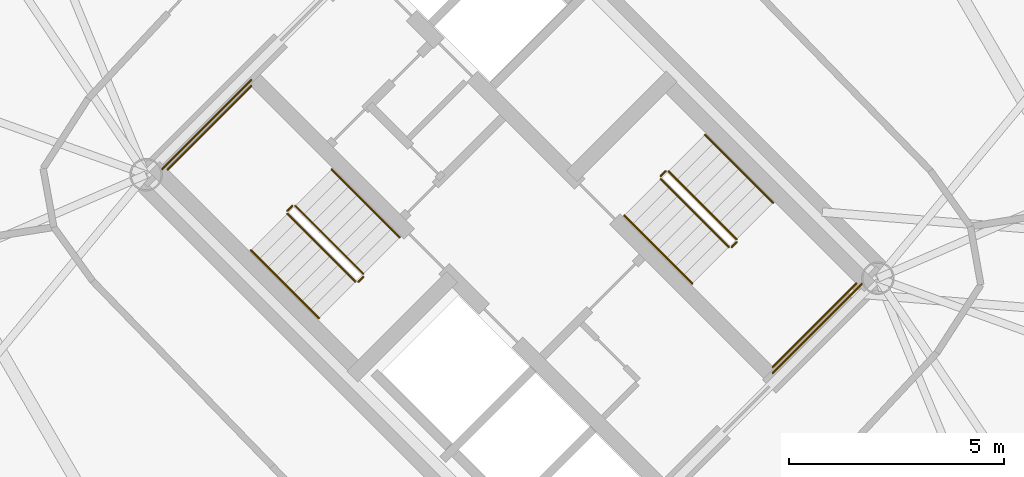
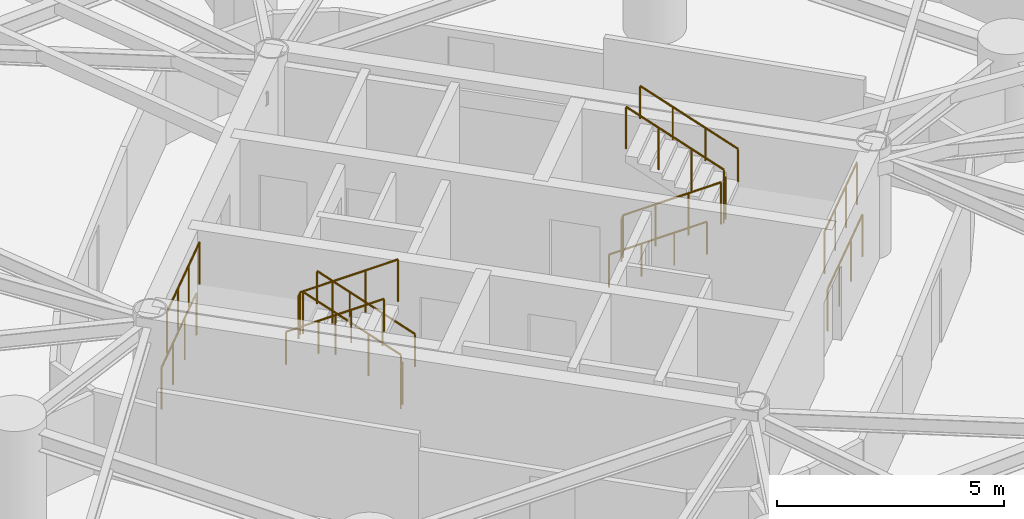
# One storey, part 17 of 18: 16 railings.
"""IFC4 building model written with IfcOpenShell, lengths in metres."""

from ifc_helpers import new_model, si_unit, direction, frame, origin, origin_2d, place, context, subcontext, project, spatial, circle, extrude, material, type_object, element, save


model = new_model("IFC4")

# Units and contexts
model_context = context("Model", 3, precision=1e-05, world=origin(), true_north=direction((0.0, 1.0)))
body_context = subcontext(model_context, "Body", "Model", "MODEL_VIEW")
ifc_project = project(units=[si_unit("LENGTHUNIT", "METRE"), si_unit("AREAUNIT", "SQUARE_METRE"), si_unit("VOLUMEUNIT", "CUBIC_METRE"), si_unit("PLANEANGLEUNIT", "RADIAN"), si_unit("MASSUNIT", "GRAM", prefix="KILO")], contexts=[model_context])

# Site, building, storey
site_placement = place(None, origin())
site = spatial("IfcSite", under=ifc_project, at=site_placement, CompositionType="ELEMENT")
building_placement = place(site_placement, origin())
building = spatial("IfcBuilding", under=site, at=building_placement, Name="Cununo Teusaquillo Station Towers", CompositionType="ELEMENT")
storey_placement = place(building_placement, frame((0.0, 0.0, 75.969970703125)))
storey = spatial("IfcBuildingStorey", under=building, at=storey_placement, Name="L23", CompositionType="ELEMENT", Elevation=75.969970703125)

# Railings
ifc_material_1 = material(Name="Steel EN 10025-2 S355J2", Category="steel")
railing_type_1 = type_object("IfcRailingType", Name="RL-INT-GUARD", PredefinedType="GUARDRAIL", material=ifc_material_1)
railing_1_placement = place(storey_placement, frame((54.03515625, 23.39697265625, 0.16162109375)))
element("IfcRailing", 1, at=railing_1_placement, inside=storey, type_object=railing_type_1, Name="L23 ST-T2-1 stair guard 1", PredefinedType="GUARDRAIL", context=body_context, shape_type="SweptSolid", body=[
    extrude(circle(Radius=0.02392578125, at=origin_2d()), frame((0.0, 0.0, 1.1259765625), z_axis=(-0.612332353853, 0.612332353853, 0.500098167213), x_axis=(-0.707106781187, -0.707106781187, 0.0)), (0.0, 0.0, 1.0), 2.58642578125),
    extrude(circle(Radius=0.02099609375, at=origin_2d()), origin(), (0.0, 0.0, 1.0), 1.101806640625),
    extrude(circle(Radius=0.02099609375, at=origin_2d()), frame((-0.52783203125, 0.52783203125, 0.43115234375)), (0.0, 0.0, 1.0), 1.101806640625),
    extrude(circle(Radius=0.02099609375, at=origin_2d()), frame((-1.055908203125, 1.055908203125, 0.8623046875)), (0.0, 0.0, 1.0), 1.101806640625),
    extrude(circle(Radius=0.02099609375, at=origin_2d()), frame((-1.583740234375, 1.583740234375, 1.29345703125)), (0.0, 0.0, 1.0), 1.101806640625),
])
railing_2_placement = place(storey_placement, frame((52.380615234375, 24.980712890625, 1.455078125)))
element("IfcRailing", 2, at=railing_2_placement, inside=storey, type_object=railing_type_1, Name="L23 ST-T2-1 stair guard 2", PredefinedType="GUARDRAIL", context=body_context, shape_type="SweptSolid", body=[
    extrude(circle(Radius=0.02392578125, at=origin_2d()), frame((0.0, 0.0, 1.1259765625), z_axis=(-0.7078691598, -0.706343579714, 0.0), x_axis=(0.706343579714, -0.7078691598, 0.0)), (0.0, 0.0, 1.0), 0.159912109375),
    extrude(circle(Radius=0.02099609375, at=origin_2d()), origin(), (0.0, 0.0, 1.0), 1.101806640625),
    extrude(circle(Radius=0.02099609375, at=origin_2d()), frame((-0.11328125, -0.113037109375, 0.0)), (0.0, 0.0, 1.0), 1.101806640625),
])
railing_3_placement = place(storey_placement, frame((51.426025390625, 27.77392578125, 1.455078125)))
element("IfcRailing", 3, at=railing_3_placement, inside=storey, type_object=railing_type_1, Name="L23 ST-T2-1 stair guard 3", PredefinedType="GUARDRAIL", context=body_context, shape_type="SweptSolid", body=[
    extrude(circle(Radius=0.02392578125, at=origin_2d()), frame((0.0, 0.0, 1.1259765625), z_axis=(-0.707106781187, -0.707106781187, 0.0), x_axis=(0.707106781187, -0.707106781187, 0.0)), (0.0, 0.0, 1.0), 2.760009765625),
    extrude(circle(Radius=0.02099609375, at=origin_2d()), origin(), (0.0, 0.0, 1.0), 1.101806640625),
    extrude(circle(Radius=0.02099609375, at=origin_2d()), frame((-0.650634765625, -0.650634765625, 0.0)), (0.0, 0.0, 1.0), 1.101806640625),
    extrude(circle(Radius=0.02099609375, at=origin_2d()), frame((-1.301025390625, -1.301025390625, 0.0)), (0.0, 0.0, 1.0), 1.101806640625),
    extrude(circle(Radius=0.02099609375, at=origin_2d()), frame((-1.95166015625, -1.95166015625, 0.0)), (0.0, 0.0, 1.0), 1.101806640625),
])
railing_4_placement = place(storey_placement, frame((52.267333984375, 24.796875, 1.61669921875)))
element("IfcRailing", 4, at=railing_4_placement, inside=storey, type_object=railing_type_1, Name="L23 ST-T2-1 stair guard 4", PredefinedType="GUARDRAIL", context=body_context, shape_type="SweptSolid", body=[
    extrude(circle(Radius=0.02392578125, at=origin_2d()), frame((0.0, 0.0, 1.1259765625), z_axis=(0.612420254088, -0.612325861324, 0.499998471934), x_axis=(0.707052281454, 0.707161276719, 0.0)), (0.0, 0.0, 1.0), 2.58642578125),
    extrude(circle(Radius=0.02099609375, at=origin_2d()), origin(), (0.0, 0.0, 1.0), 1.101806640625),
    extrude(circle(Radius=0.02099609375, at=origin_2d()), frame((0.528076171875, -0.52783203125, 0.43115234375)), (0.0, 0.0, 1.0), 1.101806640625),
    extrude(circle(Radius=0.02099609375, at=origin_2d()), frame((1.055908203125, -1.055908203125, 0.862060546875)), (0.0, 0.0, 1.0), 1.101806640625),
    extrude(circle(Radius=0.02099609375, at=origin_2d()), frame((1.583984375, -1.583740234375, 1.293212890625)), (0.0, 0.0, 1.0), 1.101806640625),
])
railing_5_placement = place(storey_placement, frame((54.03515625, 23.326171875, 0.0)))
element("IfcRailing", 5, at=railing_5_placement, inside=storey, type_object=railing_type_1, Name="L23 ST-T2-1 stair guard 5", PredefinedType="GUARDRAIL", context=body_context, shape_type="SweptSolid", body=[
    extrude(circle(Radius=0.02392578125, at=origin_2d()), frame((0.0, 0.0, 1.1259765625), z_axis=(-0.707106781187, -0.707106781187, 0.0), x_axis=(0.707106781187, -0.707106781187, 0.0)), (0.0, 0.0, 1.0), 0.159912109375),
    extrude(circle(Radius=0.02099609375, at=origin_2d()), origin(), (0.0, 0.0, 1.0), 1.101806640625),
    extrude(circle(Radius=0.02099609375, at=origin_2d()), frame((-0.113037109375, -0.113037109375, 0.0)), (0.0, 0.0, 1.0), 1.101806640625),
])
railing_6_placement = place(storey_placement, frame((51.426025390625, 27.915283203125, 0.0)))
element("IfcRailing", 6, at=railing_6_placement, inside=storey, type_object=railing_type_1, Name="L23 ST-T2-1 stair guard 6", PredefinedType="GUARDRAIL", context=body_context, shape_type="SweptSolid", body=[
    extrude(circle(Radius=0.02392578125, at=origin_2d()), frame((0.0, 0.0, 1.1259765625), z_axis=(-0.707106781187, -0.707106781187, 0.0), x_axis=(0.707106781187, -0.707106781187, 0.0)), (0.0, 0.0, 1.0), 2.9599609375),
    extrude(circle(Radius=0.02099609375, at=origin_2d()), origin(), (0.0, 0.0, 1.0), 1.101806640625),
    extrude(circle(Radius=0.02099609375, at=origin_2d()), frame((-0.69775390625, -0.69775390625, 0.0)), (0.0, 0.0, 1.0), 1.101806640625),
    extrude(circle(Radius=0.02099609375, at=origin_2d()), frame((-1.395263671875, -1.395263671875, 0.0)), (0.0, 0.0, 1.0), 1.101806640625),
    extrude(circle(Radius=0.02099609375, at=origin_2d()), frame((-2.093017578125, -2.093017578125, 0.0)), (0.0, 0.0, 1.0), 1.101806640625),
])
railing_7_placement = place(storey_placement, frame((60.96484375, 25.60302734375, 0.16162109375)))
element("IfcRailing", 7, at=railing_7_placement, inside=storey, type_object=railing_type_1, Name="L23 ST-T2-2 stair guard 1", PredefinedType="GUARDRAIL", context=body_context, shape_type="SweptSolid", body=[
    extrude(circle(Radius=0.02392578125, at=origin_2d()), frame((0.0, 0.0, 1.1259765625), z_axis=(0.612332353853, -0.612332353853, 0.500098167213), x_axis=(0.707106781187, 0.707106781187, 0.0)), (0.0, 0.0, 1.0), 2.58642578125),
    extrude(circle(Radius=0.02099609375, at=origin_2d()), origin(), (0.0, 0.0, 1.0), 1.101806640625),
    extrude(circle(Radius=0.02099609375, at=origin_2d()), frame((0.52783203125, -0.52783203125, 0.43115234375)), (0.0, 0.0, 1.0), 1.101806640625),
    extrude(circle(Radius=0.02099609375, at=origin_2d()), frame((1.055908203125, -1.055908203125, 0.8623046875)), (0.0, 0.0, 1.0), 1.101806640625),
    extrude(circle(Radius=0.02099609375, at=origin_2d()), frame((1.583740234375, -1.583740234375, 1.29345703125)), (0.0, 0.0, 1.0), 1.101806640625),
])
railing_8_placement = place(storey_placement, frame((62.619384765625, 24.019287109375, 1.455078125)))
element("IfcRailing", 8, at=railing_8_placement, inside=storey, type_object=railing_type_1, Name="L23 ST-T2-2 stair guard 2", PredefinedType="GUARDRAIL", context=body_context, shape_type="SweptSolid", body=[
    extrude(circle(Radius=0.02392578125, at=origin_2d()), frame((0.0, 0.0, 1.1259765625), z_axis=(0.7078691598, 0.706343579714, 0.0), x_axis=(-0.706343579714, 0.7078691598, 0.0)), (0.0, 0.0, 1.0), 0.159912109375),
    extrude(circle(Radius=0.02099609375, at=origin_2d()), origin(), (0.0, 0.0, 1.0), 1.101806640625),
    extrude(circle(Radius=0.02099609375, at=origin_2d()), frame((0.11328125, 0.113037109375, 0.0)), (0.0, 0.0, 1.0), 1.101806640625),
])
railing_9_placement = place(storey_placement, frame((63.573974609375, 21.22607421875, 1.455078125)))
element("IfcRailing", 9, at=railing_9_placement, inside=storey, type_object=railing_type_1, Name="L23 ST-T2-2 stair guard 3", PredefinedType="GUARDRAIL", context=body_context, shape_type="SweptSolid", body=[
    extrude(circle(Radius=0.02392578125, at=origin_2d()), frame((0.0, 0.0, 1.1259765625), z_axis=(0.707106781187, 0.707106781187, 0.0), x_axis=(-0.707106781187, 0.707106781187, 0.0)), (0.0, 0.0, 1.0), 2.760009765625),
    extrude(circle(Radius=0.02099609375, at=origin_2d()), origin(), (0.0, 0.0, 1.0), 1.101806640625),
    extrude(circle(Radius=0.02099609375, at=origin_2d()), frame((0.650634765625, 0.650634765625, 0.0)), (0.0, 0.0, 1.0), 1.101806640625),
    extrude(circle(Radius=0.02099609375, at=origin_2d()), frame((1.301025390625, 1.301025390625, 0.0)), (0.0, 0.0, 1.0), 1.101806640625),
    extrude(circle(Radius=0.02099609375, at=origin_2d()), frame((1.95166015625, 1.95166015625, 0.0)), (0.0, 0.0, 1.0), 1.101806640625),
])
railing_10_placement = place(storey_placement, frame((62.732666015625, 24.203125, 1.61669921875)))
element("IfcRailing", 10, at=railing_10_placement, inside=storey, type_object=railing_type_1, Name="L23 ST-T2-2 stair guard 4", PredefinedType="GUARDRAIL", context=body_context, shape_type="SweptSolid", body=[
    extrude(circle(Radius=0.02392578125, at=origin_2d()), frame((0.0, 0.0, 1.1259765625), z_axis=(-0.612420254088, 0.612325861324, 0.499998471934), x_axis=(-0.707052281454, -0.707161276719, 0.0)), (0.0, 0.0, 1.0), 2.58642578125),
    extrude(circle(Radius=0.02099609375, at=origin_2d()), origin(), (0.0, 0.0, 1.0), 1.101806640625),
    extrude(circle(Radius=0.02099609375, at=origin_2d()), frame((-0.528076171875, 0.52783203125, 0.43115234375)), (0.0, 0.0, 1.0), 1.101806640625),
    extrude(circle(Radius=0.02099609375, at=origin_2d()), frame((-1.055908203125, 1.055908203125, 0.862060546875)), (0.0, 0.0, 1.0), 1.101806640625),
    extrude(circle(Radius=0.02099609375, at=origin_2d()), frame((-1.583984375, 1.583740234375, 1.293212890625)), (0.0, 0.0, 1.0), 1.101806640625),
])
railing_11_placement = place(storey_placement, frame((60.96484375, 25.673828125, 0.0)))
element("IfcRailing", 11, at=railing_11_placement, inside=storey, type_object=railing_type_1, Name="L23 ST-T2-2 stair guard 5", PredefinedType="GUARDRAIL", context=body_context, shape_type="SweptSolid", body=[
    extrude(circle(Radius=0.02392578125, at=origin_2d()), frame((0.0, 0.0, 1.1259765625), z_axis=(0.707106781187, 0.707106781187, 0.0), x_axis=(-0.707106781187, 0.707106781187, 0.0)), (0.0, 0.0, 1.0), 0.159912109375),
    extrude(circle(Radius=0.02099609375, at=origin_2d()), origin(), (0.0, 0.0, 1.0), 1.101806640625),
    extrude(circle(Radius=0.02099609375, at=origin_2d()), frame((0.113037109375, 0.113037109375, 0.0)), (0.0, 0.0, 1.0), 1.101806640625),
])
railing_12_placement = place(storey_placement, frame((63.573974609375, 21.084716796875, 0.0)))
element("IfcRailing", 12, at=railing_12_placement, inside=storey, type_object=railing_type_1, Name="L23 ST-T2-2 stair guard 6", PredefinedType="GUARDRAIL", context=body_context, shape_type="SweptSolid", body=[
    extrude(circle(Radius=0.02392578125, at=origin_2d()), frame((0.0, 0.0, 1.1259765625), z_axis=(0.707106781187, 0.707106781187, 0.0), x_axis=(-0.707106781187, 0.707106781187, 0.0)), (0.0, 0.0, 1.0), 2.9599609375),
    extrude(circle(Radius=0.02099609375, at=origin_2d()), origin(), (0.0, 0.0, 1.0), 1.101806640625),
    extrude(circle(Radius=0.02099609375, at=origin_2d()), frame((0.69775390625, 0.69775390625, 0.0)), (0.0, 0.0, 1.0), 1.101806640625),
    extrude(circle(Radius=0.02099609375, at=origin_2d()), frame((1.395263671875, 1.395263671875, 0.0)), (0.0, 0.0, 1.0), 1.101806640625),
    extrude(circle(Radius=0.02099609375, at=origin_2d()), frame((2.093017578125, 2.093017578125, 0.0)), (0.0, 0.0, 1.0), 1.101806640625),
])
ifc_material_2 = material(Name="Steel EN 10025-2 S355J2", Category="steel")
railing_type_2 = type_object("IfcRailingType", Name="RL-INT-HRAIL", PredefinedType="HANDRAIL", material=ifc_material_2)
railing_13_placement = place(storey_placement, frame((54.8837890625, 24.245361328125, 0.16162109375)))
element("IfcRailing", 13, at=railing_13_placement, inside=storey, type_object=railing_type_2, Name="L23 ST-T2-1 stair handrail 1", PredefinedType="HANDRAIL", context=body_context, shape_type="SweptSolid", body=[
    extrude(circle(Radius=0.02392578125, at=origin_2d()), frame((0.0, 0.0, 0.8759765625), z_axis=(-0.612355957468, 0.612355957468, 0.500040361077), x_axis=(-0.707106781187, -0.707106781187, 0.0)), (0.0, 0.0, 1.0), 2.586669921875),
    extrude(circle(Radius=0.02099609375, at=origin_2d()), origin(), (0.0, 0.0, 1.0), 0.851806640625),
    extrude(circle(Radius=0.02099609375, at=origin_2d()), frame((-0.528076171875, 0.528076171875, 0.43115234375)), (0.0, 0.0, 1.0), 0.851806640625),
    extrude(circle(Radius=0.02099609375, at=origin_2d()), frame((-1.055908203125, 1.055908203125, 0.8623046875)), (0.0, 0.0, 1.0), 0.851806640625),
    extrude(circle(Radius=0.02099609375, at=origin_2d()), frame((-1.583984375, 1.583984375, 1.29345703125)), (0.0, 0.0, 1.0), 0.851806640625),
])
railing_14_placement = place(storey_placement, frame((51.4189453125, 23.948486328125, 1.61669921875)))
element("IfcRailing", 14, at=railing_14_placement, inside=storey, type_object=railing_type_2, Name="L23 ST-T2-1 stair handrail 2", PredefinedType="HANDRAIL", context=body_context, shape_type="SweptSolid", body=[
    extrude(circle(Radius=0.02392578125, at=origin_2d()), frame((0.0, 0.0, 0.8759765625), z_axis=(0.612384857071, -0.612384857071, 0.499969572735), x_axis=(0.707106781187, 0.707106781187, 0.0)), (0.0, 0.0, 1.0), 2.586669921875),
    extrude(circle(Radius=0.02099609375, at=origin_2d()), origin(), (0.0, 0.0, 1.0), 0.851806640625),
    extrude(circle(Radius=0.02099609375, at=origin_2d()), frame((0.528076171875, -0.528076171875, 0.43115234375)), (0.0, 0.0, 1.0), 0.851806640625),
    extrude(circle(Radius=0.02099609375, at=origin_2d()), frame((1.055908203125, -1.055908203125, 0.862060546875)), (0.0, 0.0, 1.0), 0.851806640625),
    extrude(circle(Radius=0.02099609375, at=origin_2d()), frame((1.583984375, -1.583984375, 1.293212890625)), (0.0, 0.0, 1.0), 0.851806640625),
])
railing_15_placement = place(storey_placement, frame((60.1162109375, 24.754638671875, 0.16162109375)))
element("IfcRailing", 15, at=railing_15_placement, inside=storey, type_object=railing_type_2, Name="L23 ST-T2-2 stair handrail 1", PredefinedType="HANDRAIL", context=body_context, shape_type="SweptSolid", body=[
    extrude(circle(Radius=0.02392578125, at=origin_2d()), frame((0.0, 0.0, 0.8759765625), z_axis=(0.612355957468, -0.612355957468, 0.500040361077), x_axis=(0.707106781187, 0.707106781187, 0.0)), (0.0, 0.0, 1.0), 2.586669921875),
    extrude(circle(Radius=0.02099609375, at=origin_2d()), origin(), (0.0, 0.0, 1.0), 0.851806640625),
    extrude(circle(Radius=0.02099609375, at=origin_2d()), frame((0.528076171875, -0.528076171875, 0.43115234375)), (0.0, 0.0, 1.0), 0.851806640625),
    extrude(circle(Radius=0.02099609375, at=origin_2d()), frame((1.055908203125, -1.055908203125, 0.8623046875)), (0.0, 0.0, 1.0), 0.851806640625),
    extrude(circle(Radius=0.02099609375, at=origin_2d()), frame((1.583984375, -1.583984375, 1.29345703125)), (0.0, 0.0, 1.0), 0.851806640625),
])
railing_16_placement = place(storey_placement, frame((63.5810546875, 25.051513671875, 1.61669921875)))
element("IfcRailing", 16, at=railing_16_placement, inside=storey, type_object=railing_type_2, Name="L23 ST-T2-2 stair handrail 2", PredefinedType="HANDRAIL", context=body_context, shape_type="SweptSolid", body=[
    extrude(circle(Radius=0.02392578125, at=origin_2d()), frame((0.0, 0.0, 0.8759765625), z_axis=(-0.612384857071, 0.612384857071, 0.499969572735), x_axis=(-0.707106781187, -0.707106781187, 0.0)), (0.0, 0.0, 1.0), 2.586669921875),
    extrude(circle(Radius=0.02099609375, at=origin_2d()), origin(), (0.0, 0.0, 1.0), 0.851806640625),
    extrude(circle(Radius=0.02099609375, at=origin_2d()), frame((-0.528076171875, 0.528076171875, 0.43115234375)), (0.0, 0.0, 1.0), 0.851806640625),
    extrude(circle(Radius=0.02099609375, at=origin_2d()), frame((-1.055908203125, 1.055908203125, 0.862060546875)), (0.0, 0.0, 1.0), 0.851806640625),
    extrude(circle(Radius=0.02099609375, at=origin_2d()), frame((-1.583984375, 1.583984375, 1.293212890625)), (0.0, 0.0, 1.0), 0.851806640625),
])

save(model, "model.ifc")
